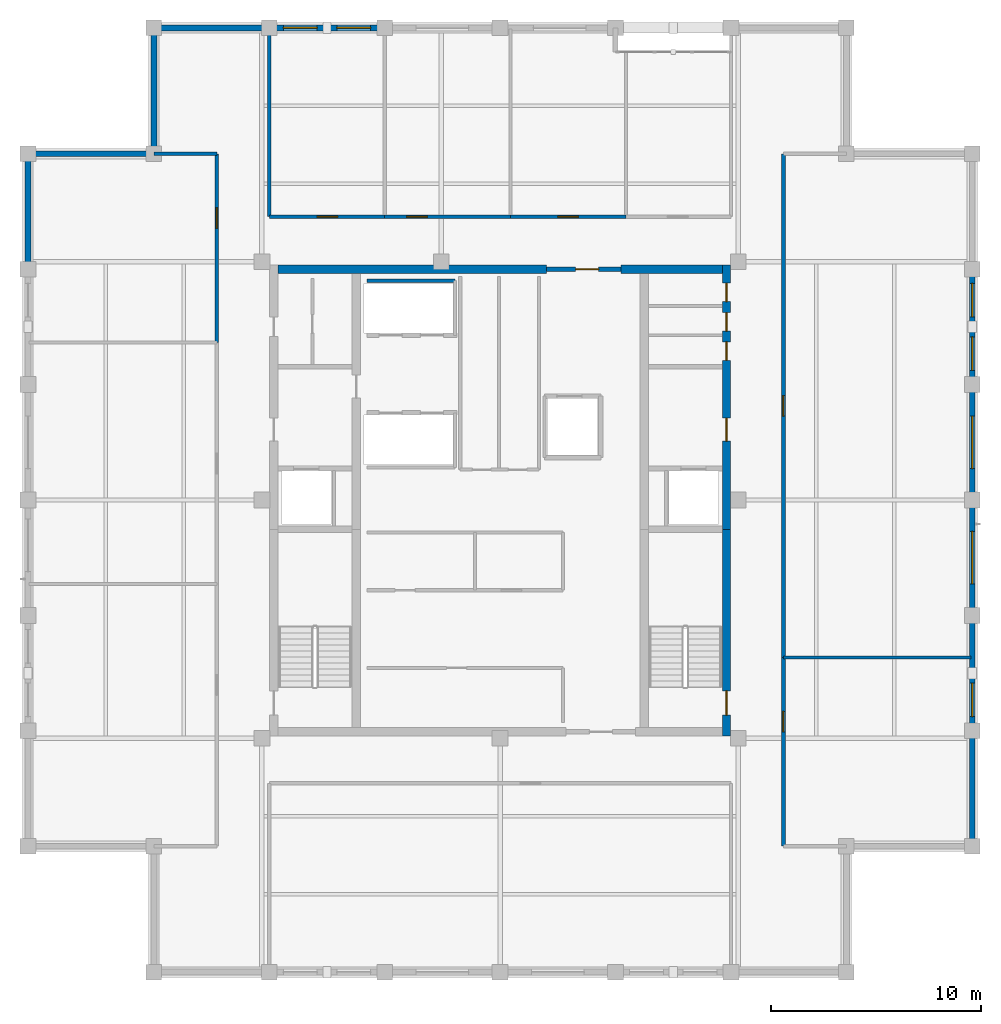
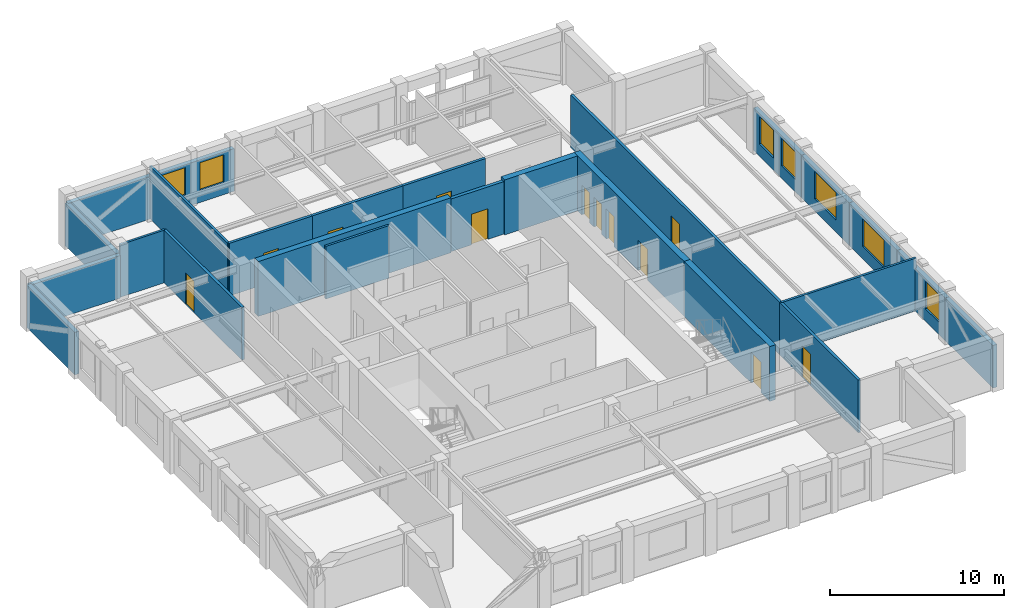
# One storey, part 8 of 10: 25 walls, 12 doors, 7 windows, 19 openings.
"""IFC4 building model written with IfcOpenShell, lengths in metres."""

from ifc_helpers import new_model, si_unit, direction, frame, frame_2d, origin, place, context, subcontext, project, spatial, rectangle, extrude, material, layer, layer_set, type_object, element, fill, save


model = new_model("IFC4")

# Units and contexts
model_context = context("Model", 3, precision=1e-05, world=origin(), true_north=direction((0.0, 1.0)))
body_context = subcontext(model_context, "Body", "Model", "MODEL_VIEW")
ifc_project = project(units=[si_unit("LENGTHUNIT", "METRE"), si_unit("AREAUNIT", "SQUARE_METRE"), si_unit("VOLUMEUNIT", "CUBIC_METRE"), si_unit("PLANEANGLEUNIT", "RADIAN"), si_unit("MASSUNIT", "GRAM", prefix="KILO")], contexts=[model_context])

# Site, building, storey
site_placement = place(None, origin())
site = spatial("IfcSite", under=ifc_project, at=site_placement, CompositionType="ELEMENT")
building_placement = place(site_placement, origin())
building = spatial("IfcBuilding", under=site, at=building_placement, Name="Nhamokura Convention Tower", CompositionType="ELEMENT")
storey_placement = place(building_placement, frame((0.0, 0.0, 277.550048828125)))
storey = spatial("IfcBuildingStorey", under=building, at=storey_placement, Name="L68", CompositionType="ELEMENT", Elevation=277.550048828125)

# Wall
ifc_material_1 = material(Name="Bronze-pigmented precast concrete C45/55", Category="concrete")
ifc_layer_1 = layer(ifc_material_1, 0.280029296875)
ifc_layer_set_1 = layer_set([ifc_layer_1], Name="BronzePrecastSpandrel_280")
wall_type_1 = type_object("IfcWallType", Name="BronzePrecastSpandrel_280", PredefinedType="USERDEFINED", material=ifc_layer_set_1)
wall_1_placement = place(storey_placement, frame((15.5, 54.5, 0.0), z_axis=(0.0, 0.0, 1.0), x_axis=(1.0, 0.0, 0.0)))
element("IfcWall", 1, at=wall_1_placement, inside=storey, type_object=wall_type_1, Name="L68 Braced-Bay Precast Wall NORTH 0", ObjectType="SPANDREL_WALL", PredefinedType="USERDEFINED", context=body_context, shape_type="SweptSolid", body=[
    extrude(rectangle(XDim=5.5, YDim=0.280029296875, at=frame_2d((2.75, 0.0))), origin(), (0.0, 0.0, 1.0), 2.98486328125),
])

# Wall, openings, windows
wall_2_placement = place(storey_placement, frame((21.0, 54.5, 0.0), z_axis=(0.0, 0.0, 1.0), x_axis=(1.0, 0.0, 0.0)))
wall_2 = element("IfcWall", 2, at=wall_2_placement, inside=storey, type_object=wall_type_1, Name="L68 Masonry-Frame Wall NORTH 1", ObjectType="SPANDREL_WALL", PredefinedType="USERDEFINED", context=body_context, shape_type="SweptSolid", body=[
    extrude(rectangle(XDim=5.5, YDim=0.280029296875, at=frame_2d((2.75, 0.0))), origin(), (0.0, 0.0, 1.0), 2.98486328125),
])
opening_1_placement = place(wall_2_placement, frame((0.675048828125, 0.0, 0.85009765625)))
opening_1 = element("IfcOpeningElement", 3, at=opening_1_placement, cuts=wall_2, Name="Opening W-11", PredefinedType="OPENING", context=body_context, shape_type="SweptSolid", body=[
    extrude(rectangle(XDim=1.60009765625, YDim=1.93505859375, at=frame_2d((0.800048828125, 0.967529296875))), frame((0.0, 0.14990234375, 0.0), z_axis=(0.0, -1.0, 0.0), x_axis=(1.0, 0.0, 0.0)), (0.0, 0.0, 1.0), 0.300048828125),
])
opening_2_placement = place(wall_2_placement, frame((3.22509765625, 0.0, 0.85009765625)))
opening_2 = element("IfcOpeningElement", 4, at=opening_2_placement, cuts=wall_2, Name="Opening W-11", PredefinedType="OPENING", context=body_context, shape_type="SweptSolid", body=[
    extrude(rectangle(XDim=1.60009765625, YDim=1.93505859375, at=frame_2d((0.800048828125, 0.967529296875))), frame((0.0, 0.14990234375, 0.0), z_axis=(0.0, -1.0, 0.0), x_axis=(1.0, 0.0, 0.0)), (0.0, 0.0, 1.0), 0.300048828125),
])
ifc_material_2 = material(Name="Solar-control bronze low-E double glass", Category="glass")
window_type_1 = type_object("IfcWindowType", Name="NotchCornerWindow_1600", PartitioningType="SINGLE_PANEL", PredefinedType="WINDOW", material=ifc_material_2)
window_1_placement = place(opening_1_placement, origin())
window_1 = element("IfcWindow", 5, at=window_1_placement, inside=storey, type_object=window_type_1, Name="L68 Facade Window NORTH 1-1", OverallHeight=1.93505859375, OverallWidth=1.60009765625, PartitioningType="SINGLE_PANEL", PredefinedType="WINDOW", context=body_context, shape_type="SweptSolid", body=[
    extrude(rectangle(XDim=1.60009765625, YDim=1.93505859375, at=frame_2d((0.800048828125, 0.967529296875))), frame((0.0, 0.030029296875, 0.0), z_axis=(0.0, -1.0, 0.0), x_axis=(1.0, 0.0, 0.0)), (0.0, 0.0, 1.0), 0.06005859375),
])
fill(opening_1, window_1)
window_2_placement = place(opening_2_placement, origin())
window_2 = element("IfcWindow", 6, at=window_2_placement, inside=storey, type_object=window_type_1, Name="L68 Facade Window NORTH 1-2", OverallHeight=1.93505859375, OverallWidth=1.60009765625, PartitioningType="SINGLE_PANEL", PredefinedType="WINDOW", context=body_context, shape_type="SweptSolid", body=[
    extrude(rectangle(XDim=1.60009765625, YDim=1.93505859375, at=frame_2d((0.800048828125, 0.967529296875))), frame((0.0, 0.030029296875, 0.0), z_axis=(0.0, -1.0, 0.0), x_axis=(1.0, 0.0, 0.0)), (0.0, 0.0, 1.0), 0.06005859375),
])
fill(opening_2, window_2)

# Walls
for number, where, z_axis, x_axis, name in (
    (7, (9.5, 43.0, 0.0), (0.0, 0.0, 1.0), (0.0, 1.0, 0.0), "L68 Braced-Bay Precast Wall WEST 5"),
    (8, (54.5, 21.0, 0.0), (0.0, 0.0, 1.0), (0.0, -1.0, 0.0), "L68 Braced-Bay Precast Wall EAST 0"),
):
    element("IfcWall", number, at=place(storey_placement, frame(where, z_axis=z_axis, x_axis=x_axis)), inside=storey, type_object=wall_type_1, Name=name, ObjectType="SPANDREL_WALL", PredefinedType="USERDEFINED", context=body_context, shape_type="SweptSolid", body=[
        extrude(rectangle(XDim=5.5, YDim=0.280029296875, at=frame_2d((2.75, 0.0))), origin(), (0.0, 0.0, 1.0), 2.98486328125),
    ])

# Wall, opening, window
wall_3_placement = place(storey_placement, frame((54.5, 26.5, 0.0), z_axis=(0.0, 0.0, 1.0), x_axis=(0.0, -1.0, 0.0)))
wall_3 = element("IfcWall", 9, at=wall_3_placement, inside=storey, type_object=wall_type_1, Name="L68 Masonry-Frame Wall EAST 1", ObjectType="SPANDREL_WALL", PredefinedType="USERDEFINED", context=body_context, shape_type="SweptSolid", body=[
    extrude(rectangle(XDim=5.5, YDim=0.280029296875, at=frame_2d((2.75, 0.0))), origin(), (0.0, 0.0, 1.0), 2.98486328125),
])
opening_3_placement = place(wall_3_placement, frame((3.22509765625, 0.0, 0.85009765625)))
opening_3 = element("IfcOpeningElement", 10, at=opening_3_placement, cuts=wall_3, Name="Opening W-11", PredefinedType="OPENING", context=body_context, shape_type="SweptSolid", body=[
    extrude(rectangle(XDim=1.60009765625, YDim=1.93505859375, at=frame_2d((0.800048828125, 0.967529296875))), frame((0.0, 0.14990234375, 0.0), z_axis=(0.0, -1.0, 0.0), x_axis=(1.0, 0.0, 0.0)), (0.0, 0.0, 1.0), 0.300048828125),
])
window_3_placement = place(opening_3_placement, origin())
window_3 = element("IfcWindow", 11, at=window_3_placement, inside=storey, type_object=window_type_1, Name="L68 Facade Window EAST 1-2", OverallHeight=1.93505859375, OverallWidth=1.60009765625, PartitioningType="SINGLE_PANEL", PredefinedType="WINDOW", context=body_context, shape_type="SweptSolid", body=[
    extrude(rectangle(XDim=1.60009765625, YDim=1.93505859375, at=frame_2d((0.800048828125, 0.967529296875))), frame((0.0, 0.030029296875, 0.0), z_axis=(0.0, -1.0, 0.0), x_axis=(1.0, 0.0, 0.0)), (0.0, 0.0, 1.0), 0.06005859375),
])
fill(opening_3, window_3)

wall_4_placement = place(storey_placement, frame((54.5, 32.0, 0.0), z_axis=(0.0, 0.0, 1.0), x_axis=(0.0, -1.0, 0.0)))
wall_4 = element("IfcWall", 12, at=wall_4_placement, inside=storey, type_object=wall_type_1, Name="L68 Masonry-Frame Wall EAST 2", ObjectType="SPANDREL_WALL", PredefinedType="USERDEFINED", context=body_context, shape_type="SweptSolid", body=[
    extrude(rectangle(XDim=5.5, YDim=0.280029296875, at=frame_2d((2.75, 0.0))), origin(), (0.0, 0.0, 1.0), 2.98486328125),
])
opening_4_placement = place(wall_4_placement, frame((1.5, 0.0, 0.85009765625)))
opening_4 = element("IfcOpeningElement", 13, at=opening_4_placement, cuts=wall_4, Name="Opening W-09", PredefinedType="OPENING", context=body_context, shape_type="SweptSolid", body=[
    extrude(rectangle(XDim=2.5, YDim=1.93505859375, at=frame_2d((1.25, 0.967529296875))), frame((0.0, 0.14990234375, 0.0), z_axis=(0.0, -1.0, 0.0), x_axis=(1.0, 0.0, 0.0)), (0.0, 0.0, 1.0), 0.300048828125),
])
ifc_material_3 = material(Name="Solar-control bronze low-E double glass", Category="glass")
window_type_2 = type_object("IfcWindowType", Name="SummitWindow_Z4_2500", PartitioningType="DOUBLE_PANEL_VERTICAL", PredefinedType="WINDOW", material=ifc_material_3)
window_4_placement = place(opening_4_placement, origin())
window_4 = element("IfcWindow", 14, at=window_4_placement, inside=storey, type_object=window_type_2, Name="L68 Facade Window EAST 2", OverallHeight=1.93505859375, OverallWidth=2.5, PartitioningType="SINGLE_PANEL", PredefinedType="WINDOW", context=body_context, shape_type="SweptSolid", body=[
    extrude(rectangle(XDim=2.5, YDim=1.93505859375, at=frame_2d((1.25, 0.967529296875))), frame((0.0, 0.030029296875, 0.0), z_axis=(0.0, -1.0, 0.0), x_axis=(1.0, 0.0, 0.0)), (0.0, 0.0, 1.0), 0.06005859375),
])
fill(opening_4, window_4)

wall_5_placement = place(storey_placement, frame((54.5, 37.5, 0.0), z_axis=(0.0, 0.0, 1.0), x_axis=(0.0, -1.0, 0.0)))
wall_5 = element("IfcWall", 15, at=wall_5_placement, inside=storey, type_object=wall_type_1, Name="L68 Masonry-Frame Wall EAST 3", ObjectType="SPANDREL_WALL", PredefinedType="USERDEFINED", context=body_context, shape_type="SweptSolid", body=[
    extrude(rectangle(XDim=5.5, YDim=0.280029296875, at=frame_2d((2.75, 0.0))), origin(), (0.0, 0.0, 1.0), 2.98486328125),
])
opening_5_placement = place(wall_5_placement, frame((1.5, 0.0, 0.85009765625)))
opening_5 = element("IfcOpeningElement", 16, at=opening_5_placement, cuts=wall_5, Name="Opening W-09", PredefinedType="OPENING", context=body_context, shape_type="SweptSolid", body=[
    extrude(rectangle(XDim=2.5, YDim=1.93505859375, at=frame_2d((1.25, 0.967529296875))), frame((0.0, 0.14990234375, 0.0), z_axis=(0.0, -1.0, 0.0), x_axis=(1.0, 0.0, 0.0)), (0.0, 0.0, 1.0), 0.300048828125),
])
window_5_placement = place(opening_5_placement, origin())
window_5 = element("IfcWindow", 17, at=window_5_placement, inside=storey, type_object=window_type_2, Name="L68 Facade Window EAST 3", OverallHeight=1.93505859375, OverallWidth=2.5, PartitioningType="SINGLE_PANEL", PredefinedType="WINDOW", context=body_context, shape_type="SweptSolid", body=[
    extrude(rectangle(XDim=2.5, YDim=1.93505859375, at=frame_2d((1.25, 0.967529296875))), frame((0.0, 0.030029296875, 0.0), z_axis=(0.0, -1.0, 0.0), x_axis=(1.0, 0.0, 0.0)), (0.0, 0.0, 1.0), 0.06005859375),
])
fill(opening_5, window_5)

# Wall, openings, windows
wall_6_placement = place(storey_placement, frame((54.5, 43.0, 0.0), z_axis=(0.0, 0.0, 1.0), x_axis=(0.0, -1.0, 0.0)))
wall_6 = element("IfcWall", 18, at=wall_6_placement, inside=storey, type_object=wall_type_1, Name="L68 Masonry-Frame Wall EAST 4", ObjectType="SPANDREL_WALL", PredefinedType="USERDEFINED", context=body_context, shape_type="SweptSolid", body=[
    extrude(rectangle(XDim=5.5, YDim=0.280029296875, at=frame_2d((2.75, 0.0))), origin(), (0.0, 0.0, 1.0), 2.98486328125),
])
opening_6_placement = place(wall_6_placement, frame((0.675048828125, 0.0, 0.85009765625)))
opening_6 = element("IfcOpeningElement", 19, at=opening_6_placement, cuts=wall_6, Name="Opening W-11", PredefinedType="OPENING", context=body_context, shape_type="SweptSolid", body=[
    extrude(rectangle(XDim=1.60009765625, YDim=1.93505859375, at=frame_2d((0.800048828125, 0.967529296875))), frame((0.0, 0.14990234375, 0.0), z_axis=(0.0, -1.0, 0.0), x_axis=(1.0, 0.0, 0.0)), (0.0, 0.0, 1.0), 0.300048828125),
])
opening_7_placement = place(wall_6_placement, frame((3.22509765625, 0.0, 0.85009765625)))
opening_7 = element("IfcOpeningElement", 20, at=opening_7_placement, cuts=wall_6, Name="Opening W-11", PredefinedType="OPENING", context=body_context, shape_type="SweptSolid", body=[
    extrude(rectangle(XDim=1.60009765625, YDim=1.93505859375, at=frame_2d((0.800048828125, 0.967529296875))), frame((0.0, 0.14990234375, 0.0), z_axis=(0.0, -1.0, 0.0), x_axis=(1.0, 0.0, 0.0)), (0.0, 0.0, 1.0), 0.300048828125),
])
window_6_placement = place(opening_6_placement, origin())
window_6 = element("IfcWindow", 21, at=window_6_placement, inside=storey, type_object=window_type_1, Name="L68 Facade Window EAST 4-1", OverallHeight=1.93505859375, OverallWidth=1.60009765625, PartitioningType="SINGLE_PANEL", PredefinedType="WINDOW", context=body_context, shape_type="SweptSolid", body=[
    extrude(rectangle(XDim=1.60009765625, YDim=1.93505859375, at=frame_2d((0.800048828125, 0.967529296875))), frame((0.0, 0.030029296875, 0.0), z_axis=(0.0, -1.0, 0.0), x_axis=(1.0, 0.0, 0.0)), (0.0, 0.0, 1.0), 0.06005859375),
])
fill(opening_6, window_6)
window_7_placement = place(opening_7_placement, origin())
window_7 = element("IfcWindow", 22, at=window_7_placement, inside=storey, type_object=window_type_1, Name="L68 Facade Window EAST 4-2", OverallHeight=1.93505859375, OverallWidth=1.60009765625, PartitioningType="SINGLE_PANEL", PredefinedType="WINDOW", context=body_context, shape_type="SweptSolid", body=[
    extrude(rectangle(XDim=1.60009765625, YDim=1.93505859375, at=frame_2d((0.800048828125, 0.967529296875))), frame((0.0, 0.030029296875, 0.0), z_axis=(0.0, -1.0, 0.0), x_axis=(1.0, 0.0, 0.0)), (0.0, 0.0, 1.0), 0.06005859375),
])
fill(opening_7, window_7)

# Walls
for number, where, z_axis, x_axis, name in (
    (23, (15.5, 48.5, 0.0), (0.0, 0.0, 1.0), (0.0, 1.0, 0.0), "L68 Notched Corner Wall NW1"),
    (24, (9.5, 48.5, 0.0), (0.0, 0.0, 1.0), (1.0, 0.0, 0.0), "L68 Notched Corner Wall NW2"),
):
    element("IfcWall", number, at=place(storey_placement, frame(where, z_axis=z_axis, x_axis=x_axis)), inside=storey, type_object=wall_type_1, Name=name, ObjectType="SPANDREL_WALL", PredefinedType="USERDEFINED", context=body_context, shape_type="SweptSolid", body=[
        extrude(rectangle(XDim=6.0, YDim=0.280029296875, at=frame_2d((3.0, 0.0))), origin(), (0.0, 0.0, 1.0), 2.98486328125),
    ])

# Wall, opening, door
ifc_material_4 = material(Name="Concrete C50/60", Category="concrete")
ifc_layer_2 = layer(ifc_material_4, 0.39990234375)
ifc_layer_set_2 = layer_set([ifc_layer_2], Name="CoreShearWall_400")
wall_type_2 = type_object("IfcWallType", Name="CoreShearWall_400", PredefinedType="SHEAR", material=ifc_layer_set_2)
wall_7_placement = place(storey_placement, frame((42.7900390625, 20.75, 0.0), z_axis=(0.0, 0.0, 1.0), x_axis=(0.0, 1.0, 0.0)))
wall_7 = element("IfcWall", 25, at=wall_7_placement, inside=storey, type_object=wall_type_2, Name="L68 Core Shear Wall CW-ES", PredefinedType="SHEAR", context=body_context, shape_type="SweptSolid", body=[
    extrude(rectangle(XDim=9.85009765625, YDim=0.39990234375, at=frame_2d((4.925048828125, 0.0))), origin(), (0.0, 0.0, 1.0), 3.849853515625),
])
opening_8_placement = place(wall_7_placement, frame((1.0, 0.0, 0.0)))
opening_8 = element("IfcOpeningElement", 26, at=opening_8_placement, cuts=wall_7, Name="Opening D-04", PredefinedType="OPENING", context=body_context, shape_type="SweptSolid", body=[
    extrude(rectangle(XDim=1.14990234375, YDim=2.14990234375, at=frame_2d((0.574951171875, 1.074951171875))), frame((0.0, 0.2099609375, 0.0), z_axis=(0.0, -1.0, 0.0), x_axis=(1.0, 0.0, 0.0)), (0.0, 0.0, 1.0), 0.419921875),
])
ifc_material_5 = material(Name="Fire-rated steel door", Category="steel")
door_type_1 = type_object("IfcDoorType", Name="StairSmokeDoor_1150", OperationType="NOTDEFINED", PredefinedType="DOOR", material=ifc_material_5)
door_1_placement = place(opening_8_placement, origin())
door_1 = element("IfcDoor", 27, at=door_1_placement, inside=storey, type_object=door_type_1, Name="L68 Core Door INT-L68-D-ST02", OperationType="SINGLE_SWING_RIGHT", OverallHeight=2.14990234375, OverallWidth=1.14990234375, PredefinedType="DOOR", context=body_context, shape_type="SweptSolid", body=[
    extrude(rectangle(XDim=1.14990234375, YDim=2.14990234375, at=frame_2d((0.574951171875, 1.074951171875))), frame((0.0, 0.02490234375, 0.0), z_axis=(0.0, -1.0, 0.0), x_axis=(1.0, 0.0, 0.0)), (0.0, 0.0, 1.0), 0.050048828125),
])
fill(opening_8, door_1)

# Wall, openings, doors
wall_8_placement = place(storey_placement, frame((42.7900390625, 30.60009765625, 0.0), z_axis=(0.0, 0.0, 1.0), x_axis=(0.0, 1.0, 0.0)))
wall_8 = element("IfcWall", 28, at=wall_8_placement, inside=storey, type_object=wall_type_2, Name="L68 Core Shear Wall CW-EN", PredefinedType="SHEAR", context=body_context, shape_type="SweptSolid", body=[
    extrude(rectangle(XDim=12.599853515625, YDim=0.39990234375, at=frame_2d((6.2998046875, 0.0))), origin(), (0.0, 0.0, 1.0), 3.849853515625),
])
opening_9_placement = place(wall_8_placement, frame((4.199951171875, 0.0, 0.0)))
opening_9 = element("IfcOpeningElement", 29, at=opening_9_placement, cuts=wall_8, Name="Opening D-05", PredefinedType="OPENING", context=body_context, shape_type="SweptSolid", body=[
    extrude(rectangle(XDim=1.10009765625, YDim=2.14990234375, at=frame_2d((0.550048828125, 1.074951171875))), frame((0.0, 0.2099609375, 0.0), z_axis=(0.0, -1.0, 0.0), x_axis=(1.0, 0.0, 0.0)), (0.0, 0.0, 1.0), 0.419921875),
])
opening_10_placement = place(wall_8_placement, frame((8.050048828125, 0.0, 0.0)))
opening_10 = element("IfcOpeningElement", 30, at=opening_10_placement, cuts=wall_8, Name="Opening D-11", PredefinedType="OPENING", context=body_context, shape_type="SweptSolid", body=[
    extrude(rectangle(XDim=0.8798828125, YDim=2.10009765625, at=frame_2d((0.43994140625, 1.050048828125))), frame((0.0, 0.2099609375, 0.0), z_axis=(0.0, -1.0, 0.0), x_axis=(1.0, 0.0, 0.0)), (0.0, 0.0, 1.0), 0.419921875),
])
opening_11_placement = place(wall_8_placement, frame((9.449951171875, 0.0, 0.0)))
opening_11 = element("IfcOpeningElement", 31, at=opening_11_placement, cuts=wall_8, Name="Opening D-11", PredefinedType="OPENING", context=body_context, shape_type="SweptSolid", body=[
    extrude(rectangle(XDim=0.8798828125, YDim=2.10009765625, at=frame_2d((0.43994140625, 1.050048828125))), frame((0.0, 0.2099609375, 0.0), z_axis=(0.0, -1.0, 0.0), x_axis=(1.0, 0.0, 0.0)), (0.0, 0.0, 1.0), 0.419921875),
])
opening_12_placement = place(wall_8_placement, frame((10.85009765625, 0.0, 0.0)))
opening_12 = element("IfcOpeningElement", 32, at=opening_12_placement, cuts=wall_8, Name="Opening D-11", PredefinedType="OPENING", context=body_context, shape_type="SweptSolid", body=[
    extrude(rectangle(XDim=0.8798828125, YDim=2.10009765625, at=frame_2d((0.43994140625, 1.050048828125))), frame((0.0, 0.2099609375, 0.0), z_axis=(0.0, -1.0, 0.0), x_axis=(1.0, 0.0, 0.0)), (0.0, 0.0, 1.0), 0.419921875),
])
ifc_material_6 = material(Name="Solid oak hardwood", Category="wood")
door_type_2 = type_object("IfcDoorType", Name="BathroomDoor_880", OperationType="NOTDEFINED", PredefinedType="DOOR", material=ifc_material_6)
door_2_placement = place(opening_10_placement, origin())
door_2 = element("IfcDoor", 33, at=door_2_placement, inside=storey, type_object=door_type_2, Name="L68 Core Door INT-L68-D-MWC", OperationType="SINGLE_SWING_LEFT", OverallHeight=2.10009765625, OverallWidth=0.8798828125, PredefinedType="DOOR", context=body_context, shape_type="SweptSolid", body=[
    extrude(rectangle(XDim=0.8798828125, YDim=2.10009765625, at=frame_2d((0.43994140625, 1.050048828125))), frame((0.0, 0.02490234375, 0.0), z_axis=(0.0, -1.0, 0.0), x_axis=(1.0, 0.0, 0.0)), (0.0, 0.0, 1.0), 0.050048828125),
])
fill(opening_10, door_2)
door_3_placement = place(opening_11_placement, origin())
door_3 = element("IfcDoor", 34, at=door_3_placement, inside=storey, type_object=door_type_2, Name="L68 Core Door INT-L68-D-FWC", OperationType="SINGLE_SWING_RIGHT", OverallHeight=2.10009765625, OverallWidth=0.8798828125, PredefinedType="DOOR", context=body_context, shape_type="SweptSolid", body=[
    extrude(rectangle(XDim=0.8798828125, YDim=2.10009765625, at=frame_2d((0.43994140625, 1.050048828125))), frame((0.0, 0.02490234375, 0.0), z_axis=(0.0, -1.0, 0.0), x_axis=(1.0, 0.0, 0.0)), (0.0, 0.0, 1.0), 0.050048828125),
])
fill(opening_11, door_3)
door_4_placement = place(opening_12_placement, origin())
door_4 = element("IfcDoor", 35, at=door_4_placement, inside=storey, type_object=door_type_2, Name="L68 Core Door INT-L68-D-ARC", OperationType="SINGLE_SWING_LEFT", OverallHeight=2.10009765625, OverallWidth=0.8798828125, PredefinedType="DOOR", context=body_context, shape_type="SweptSolid", body=[
    extrude(rectangle(XDim=0.8798828125, YDim=2.10009765625, at=frame_2d((0.43994140625, 1.050048828125))), frame((0.0, 0.02490234375, 0.0), z_axis=(0.0, -1.0, 0.0), x_axis=(1.0, 0.0, 0.0)), (0.0, 0.0, 1.0), 0.050048828125),
])
fill(opening_12, door_4)
ifc_material_7 = material(Name="Fire-rated steel door", Category="steel")
door_type_3 = type_object("IfcDoorType", Name="FireLobbyDoor_1100", OperationType="NOTDEFINED", PredefinedType="DOOR", material=ifc_material_7)
door_5_placement = place(opening_9_placement, origin())
door_5 = element("IfcDoor", 36, at=door_5_placement, inside=storey, type_object=door_type_3, Name="L68 Core Door INT-L68-D-FFLE", OperationType="SINGLE_SWING_LEFT", OverallHeight=2.14990234375, OverallWidth=1.10009765625, PredefinedType="DOOR", context=body_context, shape_type="SweptSolid", body=[
    extrude(rectangle(XDim=1.10009765625, YDim=2.14990234375, at=frame_2d((0.550048828125, 1.074951171875))), frame((0.0, 0.02490234375, 0.0), z_axis=(0.0, -1.0, 0.0), x_axis=(1.0, 0.0, 0.0)), (0.0, 0.0, 1.0), 0.050048828125),
])
fill(opening_9, door_5)

# Walls
wall_9_placement = place(storey_placement, frame((21.409912109375, 43.0, 0.0), z_axis=(0.0, 0.0, 1.0), x_axis=(1.0, 0.0, 0.0)))
element("IfcWall", 37, at=wall_9_placement, inside=storey, type_object=wall_type_2, Name="L68 Core Shear Wall CW-N1", PredefinedType="SHEAR", context=body_context, shape_type="SweptSolid", body=[
    extrude(rectangle(XDim=12.7900390625, YDim=0.39990234375, at=frame_2d((6.39501953125, 0.0))), origin(), (0.0, 0.0, 1.0), 3.849853515625),
])
wall_10_placement = place(storey_placement, frame((37.75, 43.0, 0.0), z_axis=(0.0, 0.0, 1.0), x_axis=(1.0, 0.0, 0.0)))
element("IfcWall", 38, at=wall_10_placement, inside=storey, type_object=wall_type_2, Name="L68 Core Shear Wall CW-N2", PredefinedType="SHEAR", context=body_context, shape_type="SweptSolid", body=[
    extrude(rectangle(XDim=4.840087890625, YDim=0.39990234375, at=frame_2d((2.419921875, 0.0))), origin(), (0.0, 0.0, 1.0), 3.849853515625),
])

# Wall, opening, door
ifc_material_8 = material(Name="Fire-rated gypsum and masonry partition", Category="masonry")
ifc_layer_3 = layer(ifc_material_8, 0.179931640625)
ifc_layer_set_3 = layer_set([ifc_layer_3], Name="CorridorRatedWall_180")
wall_type_3 = type_object("IfcWallType", Name="CorridorRatedWall_180", PredefinedType="STANDARD", material=ifc_layer_set_3)
wall_11_placement = place(storey_placement, frame((21.0, 45.5, 0.0), z_axis=(0.0, 0.0, 1.0), x_axis=(1.0, 0.0, 0.0)))
wall_11 = element("IfcWall", 39, at=wall_11_placement, inside=storey, type_object=wall_type_3, Name="L68 Wall INT-L68-CW-N00", PredefinedType="STANDARD", context=body_context, shape_type="SweptSolid", body=[
    extrude(rectangle(XDim=5.5, YDim=0.179931640625, at=frame_2d((2.75, 0.0))), origin(), (0.0, 0.0, 1.0), 3.68505859375),
])
opening_13_placement = place(wall_11_placement, frame((2.27490234375, 0.0, 0.0)))
opening_13 = element("IfcOpeningElement", 40, at=opening_13_placement, cuts=wall_11, Name="Opening D-08", PredefinedType="OPENING", context=body_context, shape_type="SweptSolid", body=[
    extrude(rectangle(XDim=0.97998046875, YDim=2.199951171875, at=frame_2d((0.489990234375, 1.10009765625))), frame((0.0, 0.099853515625, 0.0), z_axis=(0.0, -1.0, 0.0), x_axis=(1.0, 0.0, 0.0)), (0.0, 0.0, 1.0), 0.199951171875),
])
ifc_material_9 = material(Name="Solid oak hardwood", Category="wood")
door_type_4 = type_object("IfcDoorType", Name="OfficeEntryDoor_980", OperationType="NOTDEFINED", PredefinedType="DOOR", material=ifc_material_9)
door_6_placement = place(opening_13_placement, origin())
door_6 = element("IfcDoor", 41, at=door_6_placement, inside=storey, type_object=door_type_4, Name="L68 Private Office N01 Door", OperationType="SINGLE_SWING_LEFT", OverallHeight=2.199951171875, OverallWidth=0.97998046875, PredefinedType="DOOR", context=body_context, shape_type="SweptSolid", body=[
    extrude(rectangle(XDim=0.97998046875, YDim=2.199951171875, at=frame_2d((0.489990234375, 1.10009765625))), frame((0.0, 0.02490234375, 0.0), z_axis=(0.0, -1.0, 0.0), x_axis=(1.0, 0.0, 0.0)), (0.0, 0.0, 1.0), 0.050048828125),
])
fill(opening_13, door_6)

wall_12_placement = place(storey_placement, frame((26.5, 45.5, 0.0), z_axis=(0.0, 0.0, 1.0), x_axis=(1.0, 0.0, 0.0)))
wall_12 = element("IfcWall", 42, at=wall_12_placement, inside=storey, type_object=wall_type_3, Name="L68 Wall INT-L68-CW-N01", PredefinedType="STANDARD", context=body_context, shape_type="SweptSolid", body=[
    extrude(rectangle(XDim=6.0, YDim=0.179931640625, at=frame_2d((3.0, 0.0))), origin(), (0.0, 0.0, 1.0), 3.68505859375),
])
opening_14_placement = place(wall_12_placement, frame((1.050048828125, 0.0, 0.0)))
opening_14 = element("IfcOpeningElement", 43, at=opening_14_placement, cuts=wall_12, Name="Opening D-08", PredefinedType="OPENING", context=body_context, shape_type="SweptSolid", body=[
    extrude(rectangle(XDim=0.97998046875, YDim=2.199951171875, at=frame_2d((0.489990234375, 1.10009765625))), frame((0.0, 0.099853515625, 0.0), z_axis=(0.0, -1.0, 0.0), x_axis=(1.0, 0.0, 0.0)), (0.0, 0.0, 1.0), 0.199951171875),
])
door_7_placement = place(opening_14_placement, origin())
door_7 = element("IfcDoor", 44, at=door_7_placement, inside=storey, type_object=door_type_4, Name="L68 Meeting Room N02 Door", OperationType="SINGLE_SWING_RIGHT", OverallHeight=2.199951171875, OverallWidth=0.97998046875, PredefinedType="DOOR", context=body_context, shape_type="SweptSolid", body=[
    extrude(rectangle(XDim=0.97998046875, YDim=2.199951171875, at=frame_2d((0.489990234375, 1.10009765625))), frame((0.0, 0.02490234375, 0.0), z_axis=(0.0, -1.0, 0.0), x_axis=(1.0, 0.0, 0.0)), (0.0, 0.0, 1.0), 0.050048828125),
])
fill(opening_14, door_7)

wall_13_placement = place(storey_placement, frame((32.5, 45.5, 0.0), z_axis=(0.0, 0.0, 1.0), x_axis=(1.0, 0.0, 0.0)))
wall_13 = element("IfcWall", 45, at=wall_13_placement, inside=storey, type_object=wall_type_3, Name="L68 Wall INT-L68-CW-N02", PredefinedType="STANDARD", context=body_context, shape_type="SweptSolid", body=[
    extrude(rectangle(XDim=5.5, YDim=0.179931640625, at=frame_2d((2.75, 0.0))), origin(), (0.0, 0.0, 1.0), 3.68505859375),
])
opening_15_placement = place(wall_13_placement, frame((2.25, 0.0, 0.0)))
opening_15 = element("IfcOpeningElement", 46, at=opening_15_placement, cuts=wall_13, Name="Opening D-08", PredefinedType="OPENING", context=body_context, shape_type="SweptSolid", body=[
    extrude(rectangle(XDim=0.97998046875, YDim=2.199951171875, at=frame_2d((0.489990234375, 1.10009765625))), frame((0.0, 0.099853515625, 0.0), z_axis=(0.0, -1.0, 0.0), x_axis=(1.0, 0.0, 0.0)), (0.0, 0.0, 1.0), 0.199951171875),
])
door_8_placement = place(opening_15_placement, origin())
door_8 = element("IfcDoor", 47, at=door_8_placement, inside=storey, type_object=door_type_4, Name="L68 Interpretation Booth N03 Door", OperationType="SINGLE_SWING_LEFT", OverallHeight=2.199951171875, OverallWidth=0.97998046875, PredefinedType="DOOR", context=body_context, shape_type="SweptSolid", body=[
    extrude(rectangle(XDim=0.97998046875, YDim=2.199951171875, at=frame_2d((0.489990234375, 1.10009765625))), frame((0.0, 0.02490234375, 0.0), z_axis=(0.0, -1.0, 0.0), x_axis=(1.0, 0.0, 0.0)), (0.0, 0.0, 1.0), 0.050048828125),
])
fill(opening_15, door_8)

wall_14_placement = place(storey_placement, frame((18.5, 39.5, 0.0), z_axis=(0.0, 0.0, 1.0), x_axis=(0.0, 1.0, 0.0)))
wall_14 = element("IfcWall", 48, at=wall_14_placement, inside=storey, type_object=wall_type_3, Name="L68 Wall INT-L68-CW-W02", PredefinedType="STANDARD", context=body_context, shape_type="SweptSolid", body=[
    extrude(rectangle(XDim=9.0, YDim=0.179931640625, at=frame_2d((4.5, 0.0))), origin(), (0.0, 0.0, 1.0), 3.68505859375),
])
opening_16_placement = place(wall_14_placement, frame((5.449951171875, 0.0, 0.0)))
opening_16 = element("IfcOpeningElement", 49, at=opening_16_placement, cuts=wall_14, Name="Opening D-08", PredefinedType="OPENING", context=body_context, shape_type="SweptSolid", body=[
    extrude(rectangle(XDim=0.97998046875, YDim=2.199951171875, at=frame_2d((0.489990234375, 1.10009765625))), frame((0.0, 0.099853515625, 0.0), z_axis=(0.0, -1.0, 0.0), x_axis=(1.0, 0.0, 0.0)), (0.0, 0.0, 1.0), 0.199951171875),
])
door_9_placement = place(opening_16_placement, origin())
door_9 = element("IfcDoor", 50, at=door_9_placement, inside=storey, type_object=door_type_4, Name="L68 VIP Lounge W03 Door", OperationType="SINGLE_SWING_LEFT", OverallHeight=2.199951171875, OverallWidth=0.97998046875, PredefinedType="DOOR", context=body_context, shape_type="SweptSolid", body=[
    extrude(rectangle(XDim=0.97998046875, YDim=2.199951171875, at=frame_2d((0.489990234375, 1.10009765625))), frame((0.0, 0.02490234375, 0.0), z_axis=(0.0, -1.0, 0.0), x_axis=(1.0, 0.0, 0.0)), (0.0, 0.0, 1.0), 0.050048828125),
])
fill(opening_16, door_9)

wall_15_placement = place(storey_placement, frame((45.5, 15.5, 0.0), z_axis=(0.0, 0.0, 1.0), x_axis=(0.0, 1.0, 0.0)))
wall_15 = element("IfcWall", 51, at=wall_15_placement, inside=storey, type_object=wall_type_3, Name="L68 Wall INT-L68-CW-E00", PredefinedType="STANDARD", context=body_context, shape_type="SweptSolid", body=[
    extrude(rectangle(XDim=9.0, YDim=0.179931640625, at=frame_2d((4.5, 0.0))), origin(), (0.0, 0.0, 1.0), 3.68505859375),
])
opening_17_placement = place(wall_15_placement, frame((5.449951171875, 0.0, 0.0)))
opening_17 = element("IfcOpeningElement", 52, at=opening_17_placement, cuts=wall_15, Name="Opening D-08", PredefinedType="OPENING", context=body_context, shape_type="SweptSolid", body=[
    extrude(rectangle(XDim=0.97998046875, YDim=2.199951171875, at=frame_2d((0.489990234375, 1.10009765625))), frame((0.0, 0.099853515625, 0.0), z_axis=(0.0, -1.0, 0.0), x_axis=(1.0, 0.0, 0.0)), (0.0, 0.0, 1.0), 0.199951171875),
])
door_10_placement = place(opening_17_placement, origin())
door_10 = element("IfcDoor", 53, at=door_10_placement, inside=storey, type_object=door_type_4, Name="L68 Press Room E01 Door", OperationType="SINGLE_SWING_LEFT", OverallHeight=2.199951171875, OverallWidth=0.97998046875, PredefinedType="DOOR", context=body_context, shape_type="SweptSolid", body=[
    extrude(rectangle(XDim=0.97998046875, YDim=2.199951171875, at=frame_2d((0.489990234375, 1.10009765625))), frame((0.0, 0.02490234375, 0.0), z_axis=(0.0, -1.0, 0.0), x_axis=(1.0, 0.0, 0.0)), (0.0, 0.0, 1.0), 0.050048828125),
])
fill(opening_17, door_10)

wall_16_placement = place(storey_placement, frame((45.5, 24.5, 0.0), z_axis=(0.0, 0.0, 1.0), x_axis=(0.0, 1.0, 0.0)))
wall_16 = element("IfcWall", 54, at=wall_16_placement, inside=storey, type_object=wall_type_3, Name="L68 Wall INT-L68-CW-E01", PredefinedType="STANDARD", context=body_context, shape_type="SweptSolid", body=[
    extrude(rectangle(XDim=24.0, YDim=0.179931640625, at=frame_2d((12.0, 0.0))), origin(), (0.0, 0.0, 1.0), 3.68505859375),
])
opening_18_placement = place(wall_16_placement, frame((11.5, 0.0, 0.0)))
opening_18 = element("IfcOpeningElement", 55, at=opening_18_placement, cuts=wall_16, Name="Opening D-08", PredefinedType="OPENING", context=body_context, shape_type="SweptSolid", body=[
    extrude(rectangle(XDim=0.97998046875, YDim=2.199951171875, at=frame_2d((0.489990234375, 1.10009765625))), frame((0.0, 0.099853515625, 0.0), z_axis=(0.0, -1.0, 0.0), x_axis=(1.0, 0.0, 0.0)), (0.0, 0.0, 1.0), 0.199951171875),
])
door_11_placement = place(opening_18_placement, origin())
door_11 = element("IfcDoor", 56, at=door_11_placement, inside=storey, type_object=door_type_4, Name="L68 Private Office E02 Door", OperationType="SINGLE_SWING_RIGHT", OverallHeight=2.199951171875, OverallWidth=0.97998046875, PredefinedType="DOOR", context=body_context, shape_type="SweptSolid", body=[
    extrude(rectangle(XDim=0.97998046875, YDim=2.199951171875, at=frame_2d((0.489990234375, 1.10009765625))), frame((0.0, 0.02490234375, 0.0), z_axis=(0.0, -1.0, 0.0), x_axis=(1.0, 0.0, 0.0)), (0.0, 0.0, 1.0), 0.050048828125),
])
fill(opening_18, door_11)

ifc_material_10 = material(Name="Autoclaved concrete blockwork", Category="masonry")
ifc_layer_4 = layer(ifc_material_10, 0.219970703125)
ifc_layer_set_4 = layer_set([ifc_layer_4], Name="FireLobbyWall_220")
wall_type_4 = type_object("IfcWallType", Name="FireLobbyWall_220", PredefinedType="STANDARD", material=ifc_layer_set_4)
wall_17_placement = place(storey_placement, frame((34.199951171875, 43.0, 0.0), z_axis=(0.0, 0.0, 1.0), x_axis=(1.0, 0.0, 0.0)))
wall_17 = element("IfcWall", 57, at=wall_17_placement, inside=storey, type_object=wall_type_4, Name="L68 Wall INT-L68-CPORT-N", PredefinedType="STANDARD", context=body_context, shape_type="SweptSolid", body=[
    extrude(rectangle(XDim=3.550048828125, YDim=0.219970703125, at=frame_2d((1.77490234375, 0.0))), origin(), (0.0, 0.0, 1.0), 3.68505859375),
])
opening_19_placement = place(wall_17_placement, frame((1.39990234375, 0.0, 0.0)))
opening_19 = element("IfcOpeningElement", 58, at=opening_19_placement, cuts=wall_17, Name="Opening D-05", PredefinedType="OPENING", context=body_context, shape_type="SweptSolid", body=[
    extrude(rectangle(XDim=1.10009765625, YDim=2.14990234375, at=frame_2d((0.550048828125, 1.074951171875))), frame((0.0, 0.119873046875, 0.0), z_axis=(0.0, -1.0, 0.0), x_axis=(1.0, 0.0, 0.0)), (0.0, 0.0, 1.0), 0.239990234375),
])
door_12_placement = place(opening_19_placement, origin())
door_12 = element("IfcDoor", 59, at=door_12_placement, inside=storey, type_object=door_type_3, Name="L68 North Core Lobby Portal Door", OperationType="SINGLE_SWING_RIGHT", OverallHeight=2.14990234375, OverallWidth=1.10009765625, PredefinedType="DOOR", context=body_context, shape_type="SweptSolid", body=[
    extrude(rectangle(XDim=1.10009765625, YDim=2.14990234375, at=frame_2d((0.550048828125, 1.074951171875))), frame((0.0, 0.02490234375, 0.0), z_axis=(0.0, -1.0, 0.0), x_axis=(1.0, 0.0, 0.0)), (0.0, 0.0, 1.0), 0.050048828125),
])
fill(opening_19, door_12)

# Walls
ifc_material_11 = material(Name="Acoustic gypsum stud partition", Category="masonry")
ifc_layer_5 = layer(ifc_material_11, 0.14990234375)
ifc_layer_set_5 = layer_set([ifc_layer_5], Name="InteriorPartition_150")
wall_type_5 = type_object("IfcWallType", Name="InteriorPartition_150", PredefinedType="STANDARD", material=ifc_layer_set_5)
wall_18_placement = place(storey_placement, frame((25.64990234375, 42.449951171875, 0.0), z_axis=(0.0, 0.0, 1.0), x_axis=(1.0, 0.0, 0.0)))
element("IfcWall", 60, at=wall_18_placement, inside=storey, type_object=wall_type_5, Name="L68 Wall INT-L68-B3B-N", PredefinedType="STANDARD", context=body_context, shape_type="SweptSolid", body=[
    extrude(rectangle(XDim=4.2001953125, YDim=0.14990234375, at=frame_2d((2.10009765625, 0.0))), origin(), (0.0, 0.0, 1.0), 3.68505859375),
])
for number, where, z_axis, x_axis, name in (
    (61, (21.0, 45.5, 0.0), (0.0, 0.0, 1.0), (0.0, 1.0, 0.0), "L68 Wall INT-L68-RWL-N"),
    (62, (45.5, 24.5, 0.0), (0.0, 0.0, 1.0), (1.0, 0.0, 0.0), "L68 Wall INT-L68-RW-E01"),
):
    element("IfcWall", number, at=place(storey_placement, frame(where, z_axis=z_axis, x_axis=x_axis)), inside=storey, type_object=wall_type_5, Name=name, PredefinedType="STANDARD", context=body_context, shape_type="SweptSolid", body=[
        extrude(rectangle(XDim=8.93994140625, YDim=0.14990234375, at=frame_2d((4.469970703125, 0.0))), origin(), (0.0, 0.0, 1.0), 3.68505859375),
    ])
wall_19_placement = place(storey_placement, frame((15.5, 48.5, 0.0), z_axis=(0.0, 0.0, 1.0), x_axis=(1.0, 0.0, 0.0)))
element("IfcWall", 63, at=wall_19_placement, inside=storey, type_object=wall_type_5, Name="L68 Wall INT-L68-VSTP-WN", PredefinedType="STANDARD", context=body_context, shape_type="SweptSolid", body=[
    extrude(rectangle(XDim=3.0, YDim=0.14990234375, at=frame_2d((1.5, 0.0))), origin(), (0.0, 0.0, 1.0), 3.68505859375),
])

save(model, "model.ifc")
